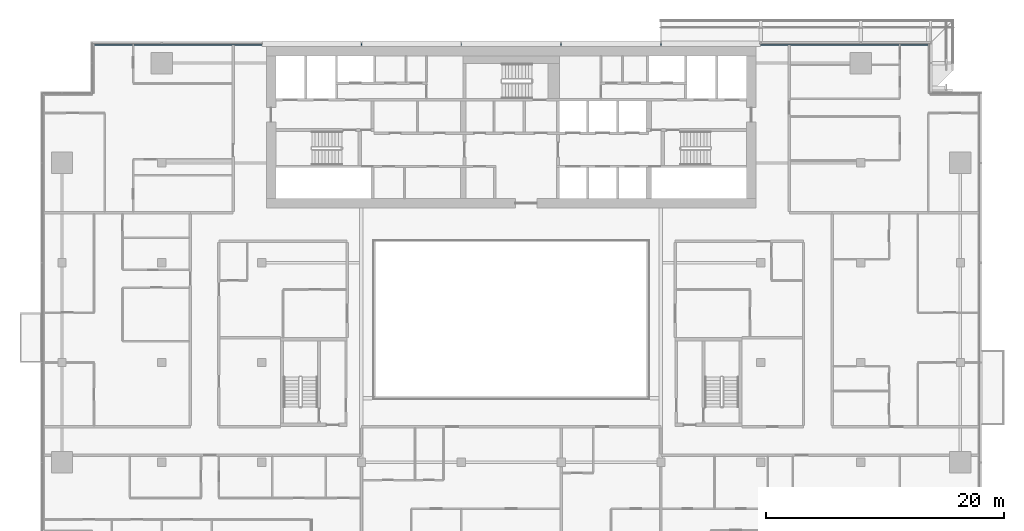
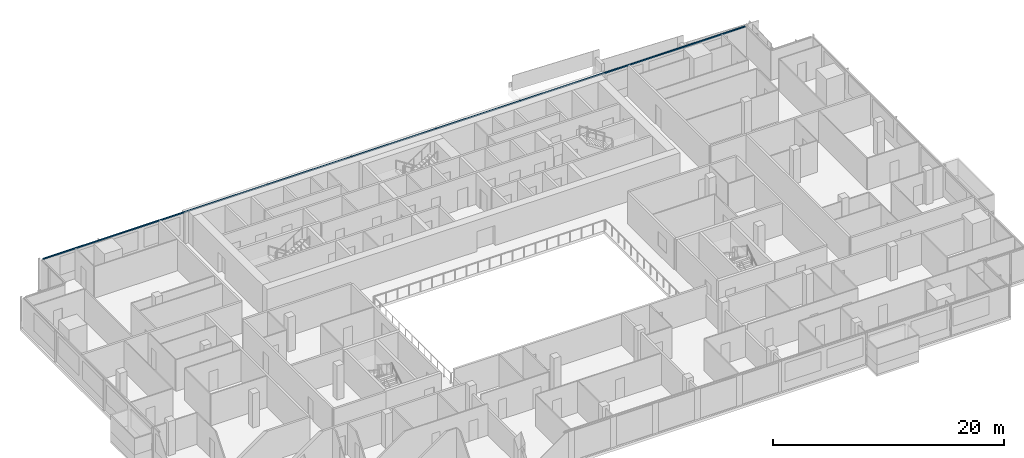
# One storey, part 9 of 30: 1 member, 1 element without a shape of its own.
"""IFC4 building model written with IfcOpenShell, lengths in metres."""

from ifc_helpers import new_model, si_unit, direction, frame, origin, origin_2d, place, context, subcontext, project, spatial, rectangle, extrude, material, material_profile, profile_set, type_object, element, aggregate, save


model = new_model("IFC4")

# Units and contexts
model_context = context("Model", 3, precision=1e-05, world=origin(), true_north=direction((0.0, 1.0)))
body_context = subcontext(model_context, "Body", "Model", "MODEL_VIEW")
ifc_project = project(units=[si_unit("LENGTHUNIT", "METRE"), si_unit("AREAUNIT", "SQUARE_METRE"), si_unit("VOLUMEUNIT", "CUBIC_METRE"), si_unit("PLANEANGLEUNIT", "RADIAN"), si_unit("MASSUNIT", "GRAM", prefix="KILO")], contexts=[model_context])

# Site, building, storey
site_placement = place(None, origin())
site = spatial("IfcSite", under=ifc_project, at=site_placement, CompositionType="ELEMENT")
building_placement = place(site_placement, origin())
building = spatial("IfcBuilding", under=site, at=building_placement, Name="Saffron Gate Tower", CompositionType="ELEMENT")
storey_placement = place(building_placement, frame((0.0, 0.0, 169.050048828125)))
storey = spatial("IfcBuildingStorey", under=building, at=storey_placement, Name="L41", CompositionType="ELEMENT", Elevation=169.050048828125)

# Curtain wall, member
ifc_material = material(Name="Aluminium, bronze anodised", Category="aluminium")
curtain_wall_type = type_object("IfcCurtainWallType", Name="CWS3 curtain wall rear facade", PredefinedType="NOTDEFINED", material=ifc_material)
curtain_wall_placement = place(storey_placement, origin())
curtain_wall = element("IfcCurtainWall", 1, at=curtain_wall_placement, inside=storey, type_object=curtain_wall_type, Name="CWS3 run 7", PredefinedType="NOTDEFINED")
ifc_material_profile = material_profile(ifc_material, rectangle(XDim=0.1201171875, YDim=0.1201171875, at=origin_2d()))
ifc_profile_set = profile_set([ifc_material_profile], Name="Aluminium, bronze anodised")
member_type = type_object("IfcMemberType", Name="CWS3 head transom", PredefinedType="USERDEFINED", material=ifc_profile_set)
member_placement = place(storey_placement, frame((122.632080078125, 75.35205078125, 3.260009765625), z_axis=(-1.0, 0.0, 0.0), x_axis=(0.0, -1.0, 0.0)))
member = element("IfcMember", 2, at=member_placement, type_object=member_type, Name="CWS3 head transom", ObjectType="TRANSOM", PredefinedType="USERDEFINED", context=body_context, shape_type="SweptSolid", body=[
    extrude(rectangle(XDim=0.1201171875, YDim=0.1201171875, at=origin_2d()), origin(), (0.0, 0.0, 1.0), 70.06396484375),
])
aggregate(curtain_wall, [member])

save(model, "model.ifc")
